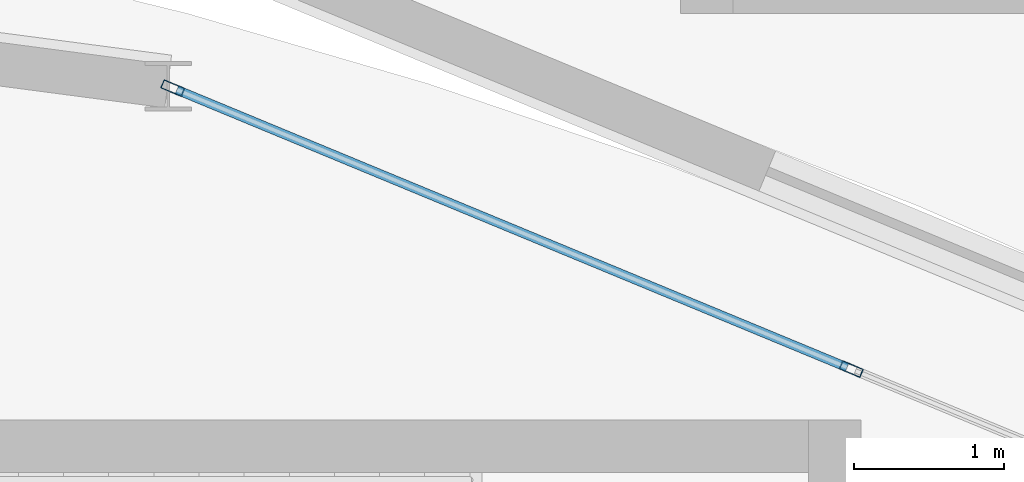
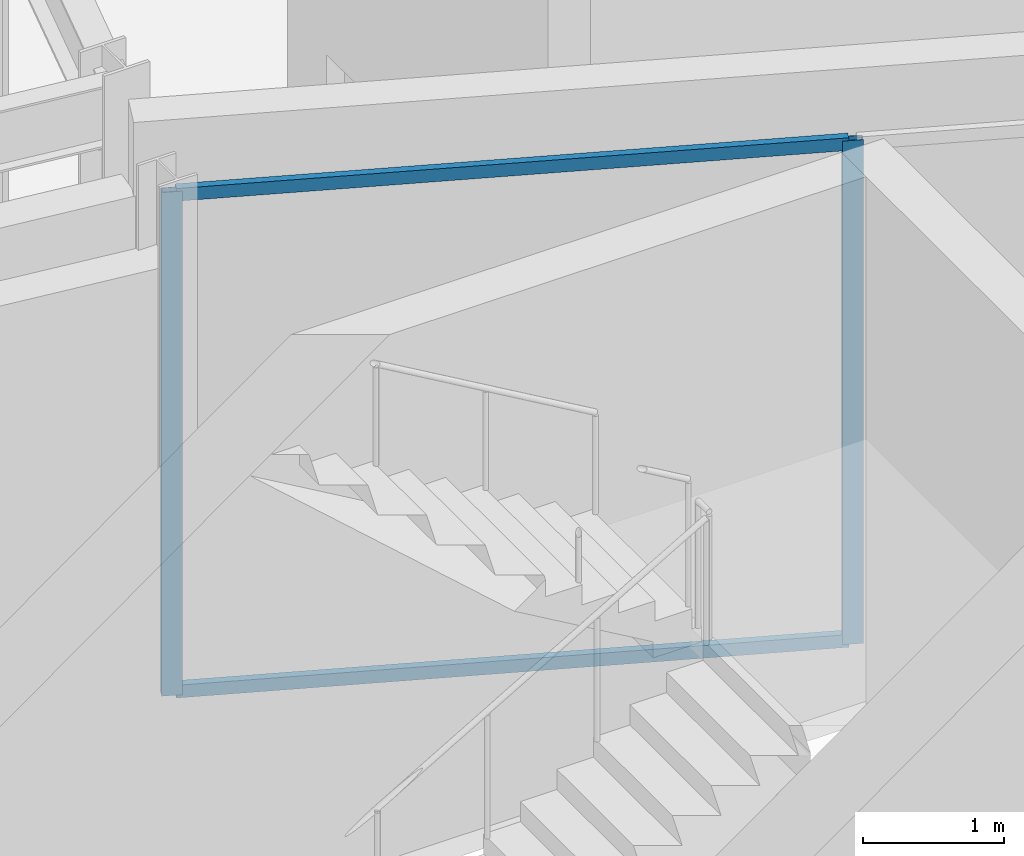
# One storey, part 76 of 157: 4 members, 1 element without a shape of its own.
"""IFC4 building model written with IfcOpenShell, lengths in metres."""

from ifc_helpers import new_model, si_unit, direction, frame, origin, origin_2d, place, context, subcontext, project, spatial, hollow_rectangle, extrude, material, material_profile, profile_set, type_object, element, aggregate, save


model = new_model("IFC4")

# Units and contexts
model_context = context("Model", 3, precision=1e-05, world=origin(), true_north=direction((0.0, 1.0)))
body_context = subcontext(model_context, "Body", "Model", "MODEL_VIEW")
ifc_project = project(units=[si_unit("LENGTHUNIT", "METRE"), si_unit("AREAUNIT", "SQUARE_METRE"), si_unit("VOLUMEUNIT", "CUBIC_METRE"), si_unit("PLANEANGLEUNIT", "RADIAN"), si_unit("MASSUNIT", "GRAM", prefix="KILO")], contexts=[model_context])

# Site, building, storey
site_placement = place(None, origin())
site = spatial("IfcSite", under=ifc_project, at=site_placement, CompositionType="ELEMENT")
building_placement = place(site_placement, origin())
building = spatial("IfcBuilding", under=site, at=building_placement, Name="Almandine Court Research Institute", CompositionType="ELEMENT")
storey_placement = place(building_placement, frame((0.0, 0.0, 5.25)))
storey = spatial("IfcBuildingStorey", under=building, at=storey_placement, Name="L01", CompositionType="ELEMENT", Elevation=5.25)

# Curtain wall, members
ifc_material_1 = material(Name="Unitised Curtain Wall Framing and Solar Glazing", Category="glass")
curtain_wall_type = type_object("IfcCurtainWallType", Name="CW-CWG-24", PredefinedType="USERDEFINED", material=ifc_material_1)
curtain_wall_placement = place(storey_placement, origin())
curtain_wall = element("IfcCurtainWall", 1, at=curtain_wall_placement, inside=storey, type_object=curtain_wall_type, Name="L01 Interaction Atrium Perimeter Curtain Wall 04", ObjectType="UNITISED GLAZING", PredefinedType="USERDEFINED")
ifc_material_2 = material(Name="Anodised Aluminium AW-6063-T6", Category="aluminium")
ifc_material_profile_1 = material_profile(ifc_material_2, hollow_rectangle(XDim=0.06005859375, YDim=0.14990234375, WallThickness=0.00390625, at=origin_2d()), Name="ALU RHS 60x150x4")
ifc_profile_set_1 = profile_set([ifc_material_profile_1], Name="Anodised Aluminium AW-6063-T6")
member_type_1 = type_object("IfcMemberType", Name="CWMul-60x150", PredefinedType="MULLION", material=ifc_profile_set_1)
member_1_placement = place(storey_placement, frame((96.775634765625, 92.3544921875, 0.0), z_axis=(0.0, 0.0, 1.0), x_axis=(0.382633558665, 0.923900189297, 0.0)))
member_1 = element("IfcMember", 2, at=member_1_placement, type_object=member_type_1, Name="CWG-24 mullion 1", PredefinedType="MULLION", context=body_context, shape_type="SweptSolid", body=[
    extrude(hollow_rectangle(XDim=0.06005859375, YDim=0.14990234375, WallThickness=0.00390625, at=origin_2d()), origin(), (0.0, 0.0, 1.0), 4.3701171875),
])
member_2_placement = place(storey_placement, frame((101.284912109375, 90.487060546875, 0.0), z_axis=(0.0, 0.0, 1.0), x_axis=(0.382633558665, 0.923900189297, 0.0)))
member_2 = element("IfcMember", 3, at=member_2_placement, type_object=member_type_1, Name="CWG-24 mullion 2", PredefinedType="MULLION", context=body_context, shape_type="SweptSolid", body=[
    extrude(hollow_rectangle(XDim=0.06005859375, YDim=0.14990234375, WallThickness=0.00390625, at=origin_2d()), origin(), (0.0, 0.0, 1.0), 4.3701171875),
])
ifc_material_profile_2 = material_profile(ifc_material_2, hollow_rectangle(XDim=0.06005859375, YDim=0.110107421875, WallThickness=0.00390625, at=origin_2d()), Name="ALU RHS 60x110x4")
ifc_profile_set_2 = profile_set([ifc_material_profile_2], Name="Anodised Aluminium AW-6063-T6")
member_type_2 = type_object("IfcMemberType", Name="CWTrn-60x110", PredefinedType="NOTDEFINED", material=ifc_profile_set_2)
member_3_placement = place(storey_placement, frame((96.803466796875, 92.343017578125, 0.030029296875), z_axis=(0.923906353025, -0.382618675498, 0.0), x_axis=(0.382618675498, 0.923906353025, 0.0)))
member_3 = element("IfcMember", 4, at=member_3_placement, type_object=member_type_2, Name="CWG-24 transom 1.1", ObjectType="TRANSOM", PredefinedType="USERDEFINED", context=body_context, shape_type="SweptSolid", body=[
    extrude(hollow_rectangle(XDim=0.06005859375, YDim=0.110107421875, WallThickness=0.00390625, at=origin_2d()), origin(), (0.0, 0.0, 1.0), 4.82080078125),
])
member_4_placement = place(storey_placement, frame((96.803466796875, 92.343017578125, 4.340087890625), z_axis=(0.923906353025, -0.382618675498, 0.0), x_axis=(0.382618675498, 0.923906353025, 0.0)))
member_4 = element("IfcMember", 5, at=member_4_placement, type_object=member_type_2, Name="CWG-24 transom 1.2", ObjectType="TRANSOM", PredefinedType="USERDEFINED", context=body_context, shape_type="SweptSolid", body=[
    extrude(hollow_rectangle(XDim=0.06005859375, YDim=0.110107421875, WallThickness=0.00390625, at=origin_2d()), origin(), (0.0, 0.0, 1.0), 4.82080078125),
])
aggregate(curtain_wall, [member_1, member_2, member_3, member_4])

save(model, "model.ifc")
